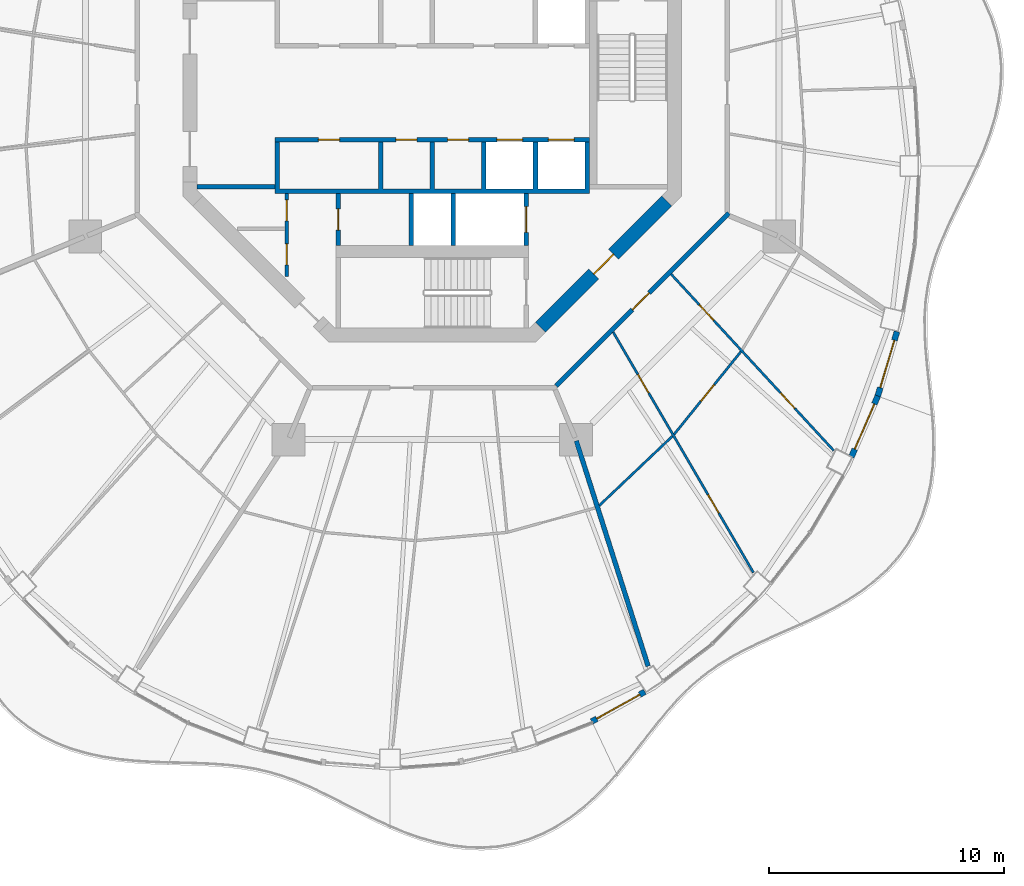
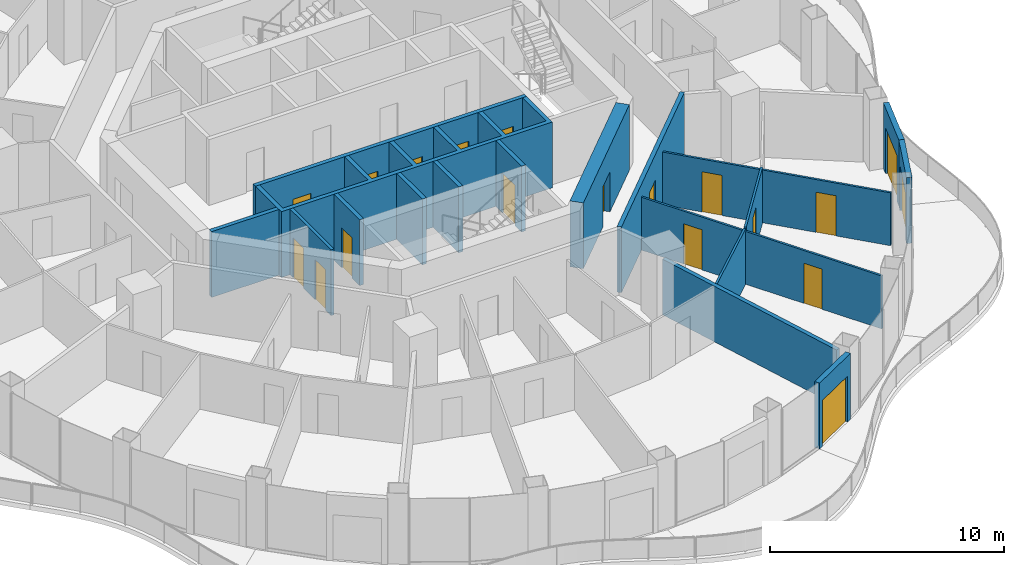
# One storey, part 11 of 17: 19 doors, 18 walls, 19 openings.
"""IFC4 building model written with IfcOpenShell, lengths in metres."""

from ifc_helpers import new_model, si_unit, direction, frame, frame_2d, origin, place, context, subcontext, project, spatial, polyline, rectangle, outline, extrude, material, layer, layer_set, type_object, element, fill, save


model = new_model("IFC4")

# Units and contexts
model_context = context("Model", 3, precision=1e-05, world=origin(), true_north=direction((0.0, 1.0)))
body_context = subcontext(model_context, "Body", "Model", "MODEL_VIEW")
ifc_project = project(units=[si_unit("LENGTHUNIT", "METRE"), si_unit("AREAUNIT", "SQUARE_METRE"), si_unit("VOLUMEUNIT", "CUBIC_METRE"), si_unit("PLANEANGLEUNIT", "RADIAN"), si_unit("MASSUNIT", "GRAM", prefix="KILO")], contexts=[model_context])

# Site, building, storey
site_placement = place(None, origin())
site = spatial("IfcSite", under=ifc_project, at=site_placement, CompositionType="ELEMENT")
building_placement = place(site_placement, origin())
building = spatial("IfcBuilding", under=site, at=building_placement, Name="Nagisa Residences", CompositionType="ELEMENT")
storey_placement = place(building_placement, frame((0.0, 0.0, 280.699951171875)))
storey = spatial("IfcBuildingStorey", under=building, at=storey_placement, Name="L71", CompositionType="ELEMENT", Elevation=280.699951171875)

# Wall
ifc_material_1 = material(Name="Gypsum board on steel studs", Category="steel")
ifc_layer_1 = layer(ifc_material_1, 0.199951171875)
ifc_layer_set_1 = layer_set([ifc_layer_1], Name="Apartment compartment wall EI60 200")
wall_type_1 = type_object("IfcWallType", Name="Apartment compartment wall EI60 200", PredefinedType="PARTITIONING", material=ifc_layer_set_1)
wall_1_placement = place(storey_placement, frame((6.13818359375, -14.82958984375, 0.0), z_axis=(0.0, 0.0, 1.0), x_axis=(0.303653679037, -0.952782474234, 0.0)))
element("IfcWall", 1, at=wall_1_placement, inside=storey, type_object=wall_type_1, Name="wall:L71:u11", PredefinedType="PARTITIONING", context=body_context, shape_type="SweptSolid", body=[
    extrude(rectangle(XDim=10.075927734375, YDim=0.199951171875, at=frame_2d((5.0380859375, 0.0))), origin(), (0.0, 0.0, 1.0), 2.905029296875),
])

# Wall, opening, door
ifc_material_2 = material(Name="Gypsum board on steel studs", Category="steel")
ifc_layer_2 = layer(ifc_material_2, 0.199951171875)
ifc_layer_set_2 = layer_set([ifc_layer_2], Name="Apartment entry wall EI60 200")
wall_type_2 = type_object("IfcWallType", Name="Apartment entry wall EI60 200", PredefinedType="PARTITIONING", material=ifc_layer_set_2)
wall_2_placement = place(storey_placement, frame((5.275146484375, -12.494140625, 0.0), z_axis=(0.0, 0.0, 1.0), x_axis=(0.707106781187, 0.707106781187, 0.0)))
wall_2 = element("IfcWall", 2, at=wall_2_placement, inside=storey, type_object=wall_type_2, Name="wall:L71:u21", PredefinedType="PARTITIONING", context=body_context, shape_type="SweptSolid", body=[
    extrude(rectangle(XDim=10.4091796875, YDim=0.199951171875, at=frame_2d((5.20458984375, 0.0))), origin(), (0.0, 0.0, 1.0), 3.43994140625),
])
opening_1_placement = place(wall_2_placement, frame((4.6044921875, 0.0, 0.0)))
opening_1 = element("IfcOpeningElement", 3, at=opening_1_placement, cuts=wall_2, Name="Opening L71-U14", PredefinedType="OPENING", context=body_context, shape_type="SweptSolid", body=[
    extrude(rectangle(XDim=1.0, YDim=2.10009765625, at=frame_2d((0.5, 1.050048828125))), frame((0.0, 0.10986328125, 0.0), z_axis=(0.0, -1.0, 0.0), x_axis=(1.0, 0.0, 0.0)), (0.0, 0.0, 1.0), 0.219970703125),
])
ifc_material_3 = material(Name="Timber fire door set", Category="wood")
door_type_1 = type_object("IfcDoorType", Name="Apartment entry door FD30S 1000x2100", OperationType="NOTDEFINED", PredefinedType="DOOR", material=ifc_material_3)
door_1_placement = place(opening_1_placement, frame((1.0, 0.0, 0.0), x_axis=(-1.0, 0.0, 0.0)))
door_1 = element("IfcDoor", 4, at=door_1_placement, inside=storey, type_object=door_type_1, Name="Entry door, Apartment 71C", OperationType="SINGLE_SWING_LEFT", OverallHeight=2.10009765625, OverallWidth=1.0, PredefinedType="DOOR", context=body_context, shape_type="SweptSolid", body=[
    extrude(rectangle(XDim=1.0, YDim=2.10009765625, at=frame_2d((0.5, 1.050048828125))), frame((0.0, 0.02490234375, 0.0), z_axis=(0.0, -1.0, 0.0), x_axis=(1.0, 0.0, 0.0)), (0.0, 0.0, 1.0), 0.050048828125),
])
fill(opening_1, door_1)

# Wall
ifc_material_4 = material(Name="Gypsum board on steel studs", Category="steel")
ifc_layer_3 = layer(ifc_material_4, 0.10009765625)
ifc_layer_set_3 = layer_set([ifc_layer_3], Name="Apartment partition 100")
wall_type_3 = type_object("IfcWallType", Name="Apartment partition 100", PredefinedType="PARTITIONING", material=ifc_layer_set_3)
wall_3_placement = place(storey_placement, frame((7.113037109375, -17.592041015625, 0.0), z_axis=(0.0, 0.0, 1.0), x_axis=(0.725433932329, 0.688291805723, 0.0)))
element("IfcWall", 5, at=wall_3_placement, inside=storey, type_object=wall_type_3, Name="wall:L71:u64", PredefinedType="PARTITIONING", context=body_context, shape_type="SweptSolid", body=[
    extrude(rectangle(XDim=4.305419921875, YDim=0.10009765625, at=frame_2d((2.15283203125, 0.0))), origin(), (0.0, 0.0, 1.0), 2.905029296875),
])

# Wall, openings, doors
wall_4_placement = place(storey_placement, frame((7.708251953125, -10.19775390625, 0.0), z_axis=(0.0, 0.0, 1.0), x_axis=(0.503839015963, -0.863797572347, 0.0)))
wall_4 = element("IfcWall", 6, at=wall_4_placement, inside=storey, type_object=wall_type_3, Name="wall:L71:u65", PredefinedType="PARTITIONING", context=body_context, shape_type="SweptSolid", body=[
    extrude(rectangle(XDim=11.855712890625, YDim=0.10009765625, at=frame_2d((5.927734375, 0.0))), origin(), (0.0, 0.0, 1.0), 2.761962890625),
])
opening_2_placement = place(wall_4_placement, frame((2.094970703125, 0.0, 0.0)))
opening_2 = element("IfcOpeningElement", 7, at=opening_2_placement, cuts=wall_4, Name="Opening L71-U15", PredefinedType="OPENING", context=body_context, shape_type="SweptSolid", body=[
    extrude(rectangle(XDim=0.89990234375, YDim=2.10009765625, at=frame_2d((0.449951171875, 1.050048828125))), frame((0.0, 0.06005859375, 0.0), z_axis=(0.0, -1.0, 0.0), x_axis=(1.0, 0.0, 0.0)), (0.0, 0.0, 1.0), 0.1201171875),
])
opening_3_placement = place(wall_4_placement, frame((8.022705078125, 0.0, 0.0)))
opening_3 = element("IfcOpeningElement", 8, at=opening_3_placement, cuts=wall_4, Name="Opening L71-U19", PredefinedType="OPENING", context=body_context, shape_type="SweptSolid", body=[
    extrude(rectangle(XDim=0.89990234375, YDim=2.10009765625, at=frame_2d((0.449951171875, 1.050048828125))), frame((0.0, 0.06005859375, 0.0), z_axis=(0.0, -1.0, 0.0), x_axis=(1.0, 0.0, 0.0)), (0.0, 0.0, 1.0), 0.1201171875),
])
ifc_material_5 = material(Name="Timber door set", Category="wood")
door_type_2 = type_object("IfcDoorType", Name="Apartment door 900x2100", OperationType="NOTDEFINED", PredefinedType="DOOR", material=ifc_material_5)
door_2_placement = place(opening_2_placement, frame((0.89990234375, 0.0, 0.0), x_axis=(-1.0, 0.0, 0.0)))
door_2 = element("IfcDoor", 9, at=door_2_placement, inside=storey, type_object=door_type_2, Name="Door to family bathroom, Apartment 71C", OperationType="SINGLE_SWING_RIGHT", OverallHeight=2.10009765625, OverallWidth=0.89990234375, PredefinedType="DOOR", context=body_context, shape_type="SweptSolid", body=[
    extrude(rectangle(XDim=0.89990234375, YDim=2.10009765625, at=frame_2d((0.449951171875, 1.050048828125))), frame((0.0, 0.02490234375, 0.0), z_axis=(0.0, -1.0, 0.0), x_axis=(1.0, 0.0, 0.0)), (0.0, 0.0, 1.0), 0.050048828125),
])
fill(opening_2, door_2)
door_3_placement = place(opening_3_placement, frame((0.89990234375, 0.0, 0.0), x_axis=(-1.0, 0.0, 0.0)))
door_3 = element("IfcDoor", 10, at=door_3_placement, inside=storey, type_object=door_type_2, Name="Door to living room, Apartment 71C", OperationType="SINGLE_SWING_RIGHT", OverallHeight=2.10009765625, OverallWidth=0.89990234375, PredefinedType="DOOR", context=body_context, shape_type="SweptSolid", body=[
    extrude(rectangle(XDim=0.89990234375, YDim=2.10009765625, at=frame_2d((0.449951171875, 1.050048828125))), frame((0.0, 0.02490234375, 0.0), z_axis=(0.0, -1.0, 0.0), x_axis=(1.0, 0.0, 0.0)), (0.0, 0.0, 1.0), 0.050048828125),
])
fill(opening_3, door_3)

# Wall, opening, door
wall_5_placement = place(storey_placement, frame((10.303955078125, -14.555419921875, 0.0), z_axis=(0.0, 0.0, 1.0), x_axis=(0.628170338674, 0.778075848237, 0.0)))
wall_5 = element("IfcWall", 11, at=wall_5_placement, inside=storey, type_object=wall_type_3, Name="wall:L71:u66", PredefinedType="PARTITIONING", context=body_context, shape_type="SweptSolid", body=[
    extrude(rectangle(XDim=4.532470703125, YDim=0.10009765625, at=frame_2d((2.26611328125, 0.0))), origin(), (0.0, 0.0, 1.0), 2.905029296875),
])
opening_4_placement = place(wall_5_placement, frame((1.816162109375, 0.0, 0.0)))
opening_4 = element("IfcOpeningElement", 12, at=opening_4_placement, cuts=wall_5, Name="Opening L71-U17", PredefinedType="OPENING", context=body_context, shape_type="SweptSolid", body=[
    extrude(rectangle(XDim=0.89990234375, YDim=2.10009765625, at=frame_2d((0.449951171875, 1.050048828125))), frame((0.0, 0.06005859375, 0.0), z_axis=(0.0, -1.0, 0.0), x_axis=(1.0, 0.0, 0.0)), (0.0, 0.0, 1.0), 0.1201171875),
])
door_4_placement = place(opening_4_placement, frame((0.89990234375, 0.0, 0.0), x_axis=(-1.0, 0.0, 0.0)))
door_4 = element("IfcDoor", 13, at=door_4_placement, inside=storey, type_object=door_type_2, Name="Door to kitchen, Apartment 71C", OperationType="SINGLE_SWING_RIGHT", OverallHeight=2.10009765625, OverallWidth=0.89990234375, PredefinedType="DOOR", context=body_context, shape_type="SweptSolid", body=[
    extrude(rectangle(XDim=0.89990234375, YDim=2.10009765625, at=frame_2d((0.449951171875, 1.050048828125))), frame((0.0, 0.02490234375, 0.0), z_axis=(0.0, -1.0, 0.0), x_axis=(1.0, 0.0, 0.0)), (0.0, 0.0, 1.0), 0.050048828125),
])
fill(opening_4, door_4)

# Wall, openings, doors
wall_6_placement = place(storey_placement, frame((10.17919921875, -7.7314453125, 0.0), z_axis=(0.0, 0.0, 1.0), x_axis=(0.67775318564, -0.73528947997, 0.0)))
wall_6 = element("IfcWall", 14, at=wall_6_placement, inside=storey, type_object=wall_type_3, Name="wall:L71:u67", PredefinedType="PARTITIONING", context=body_context, shape_type="SweptSolid", body=[
    extrude(rectangle(XDim=10.221923828125, YDim=0.10009765625, at=frame_2d((5.11083984375, 0.0))), origin(), (0.0, 0.0, 1.0), 2.761962890625),
])
opening_5_placement = place(wall_6_placement, frame((1.765625, 0.0, 0.0)))
opening_5 = element("IfcOpeningElement", 15, at=opening_5_placement, cuts=wall_6, Name="Opening L71-U16", PredefinedType="OPENING", context=body_context, shape_type="SweptSolid", body=[
    extrude(rectangle(XDim=0.89990234375, YDim=2.10009765625, at=frame_2d((0.449951171875, 1.050048828125))), frame((0.0, 0.06005859375, 0.0), z_axis=(0.0, -1.0, 0.0), x_axis=(1.0, 0.0, 0.0)), (0.0, 0.0, 1.0), 0.1201171875),
])
opening_6_placement = place(wall_6_placement, frame((6.876708984375, 0.0, 0.0)))
opening_6 = element("IfcOpeningElement", 16, at=opening_6_placement, cuts=wall_6, Name="Opening L71-U18", PredefinedType="OPENING", context=body_context, shape_type="SweptSolid", body=[
    extrude(rectangle(XDim=0.89990234375, YDim=2.10009765625, at=frame_2d((0.449951171875, 1.050048828125))), frame((0.0, 0.06005859375, 0.0), z_axis=(0.0, -1.0, 0.0), x_axis=(1.0, 0.0, 0.0)), (0.0, 0.0, 1.0), 0.1201171875),
])
door_5_placement = place(opening_5_placement, origin())
door_5 = element("IfcDoor", 17, at=door_5_placement, inside=storey, type_object=door_type_2, Name="Door to laundry, Apartment 71C", OperationType="SINGLE_SWING_RIGHT", OverallHeight=2.10009765625, OverallWidth=0.89990234375, PredefinedType="DOOR", context=body_context, shape_type="SweptSolid", body=[
    extrude(rectangle(XDim=0.89990234375, YDim=2.10009765625, at=frame_2d((0.449951171875, 1.050048828125))), frame((0.0, 0.02490234375, 0.0), z_axis=(0.0, -1.0, 0.0), x_axis=(1.0, 0.0, 0.0)), (0.0, 0.0, 1.0), 0.050048828125),
])
fill(opening_5, door_5)
door_6_placement = place(opening_6_placement, origin())
door_6 = element("IfcDoor", 18, at=door_6_placement, inside=storey, type_object=door_type_2, Name="Door to master bedroom, Apartment 71C", OperationType="SINGLE_SWING_RIGHT", OverallHeight=2.10009765625, OverallWidth=0.89990234375, PredefinedType="DOOR", context=body_context, shape_type="SweptSolid", body=[
    extrude(rectangle(XDim=0.89990234375, YDim=2.10009765625, at=frame_2d((0.449951171875, 1.050048828125))), frame((0.0, 0.02490234375, 0.0), z_axis=(0.0, -1.0, 0.0), x_axis=(1.0, 0.0, 0.0)), (0.0, 0.0, 1.0), 0.050048828125),
])
fill(opening_6, door_6)

# Wall, opening, door
ifc_material_6 = material(Name="Precast concrete C40/50", Category="concrete")
ifc_layer_4 = layer(ifc_material_6, 0.25)
ifc_layer_set_4 = layer_set([ifc_layer_4], Name="BALCONY DOOR WALL 250")
wall_type_4 = type_object("IfcWallType", Name="BALCONY DOOR WALL 250", PredefinedType="SOLIDWALL", material=ifc_layer_set_4)
wall_7_placement = place(storey_placement, frame((9.056396484375, -25.5205078125, 0.0), z_axis=(0.0, 0.0, 1.0), x_axis=(-0.872093060299, -0.489340059855, 0.0)))
wall_7 = element("IfcWall", 19, at=wall_7_placement, inside=storey, type_object=wall_type_4, Name="wall:L71:bay39", PredefinedType="SOLIDWALL", context=body_context, shape_type="SweptSolid", body=[
    extrude(rectangle(XDim=2.5927734375, YDim=0.25, at=frame_2d((1.29638671875, 0.0))), origin(), (0.0, 0.0, 1.0), 3.43994140625),
])
opening_7_placement = place(wall_7_placement, frame((0.24658203125, 0.0, 0.0)))
opening_7 = element("IfcOpeningElement", 20, at=opening_7_placement, cuts=wall_7, Name="Opening BD-L71-14", PredefinedType="OPENING", context=body_context, shape_type="SweptSolid", body=[
    extrude(rectangle(XDim=2.10009765625, YDim=2.39990234375, at=frame_2d((1.050048828125, 1.199951171875))), frame((0.0, 0.135009765625, 0.0), z_axis=(0.0, -1.0, 0.0), x_axis=(1.0, 0.0, 0.0)), (0.0, 0.0, 1.0), 0.27001953125),
])
ifc_material_7 = material(Name="Aluminium and clear glass", Category="aluminium")
door_type_3 = type_object("IfcDoorType", Name="BALCONY SLIDING DOOR 2100x2400", OperationType="SLIDING_TO_LEFT", PredefinedType="DOOR", material=ifc_material_7)
door_7_placement = place(opening_7_placement, origin())
door_7 = element("IfcDoor", 21, at=door_7_placement, inside=storey, type_object=door_type_3, Name="door:L71:bay39", OperationType="SLIDING_TO_LEFT", OverallHeight=2.39990234375, OverallWidth=2.10009765625, PredefinedType="DOOR", context=body_context, shape_type="SweptSolid", body=[
    extrude(rectangle(XDim=2.10009765625, YDim=2.39990234375, at=frame_2d((1.050048828125, 1.199951171875))), frame((0.0, 0.02490234375, 0.0), z_axis=(0.0, -1.0, 0.0), x_axis=(1.0, 0.0, 0.0)), (0.0, 0.0, 1.0), 0.050048828125),
])
fill(opening_7, door_7)

wall_8_placement = place(storey_placement, frame((18.9833984375, -12.918212890625, 0.0), z_axis=(0.0, 0.0, 1.0), x_axis=(-0.397597791596, -0.9175598052, 0.0)))
wall_8 = element("IfcWall", 22, at=wall_8_placement, inside=storey, type_object=wall_type_4, Name="wall:L71:bay44", PredefinedType="SOLIDWALL", context=body_context, shape_type="SweptSolid", body=[
    extrude(rectangle(XDim=2.841064453125, YDim=0.25, at=frame_2d((1.42041015625, 0.0))), origin(), (0.0, 0.0, 1.0), 3.43994140625),
])
opening_8_placement = place(wall_8_placement, frame((0.37060546875, 0.0, 0.0)))
opening_8 = element("IfcOpeningElement", 23, at=opening_8_placement, cuts=wall_8, Name="Opening BD-L71-15", PredefinedType="OPENING", context=body_context, shape_type="SweptSolid", body=[
    extrude(rectangle(XDim=2.10009765625, YDim=2.39990234375, at=frame_2d((1.050048828125, 1.199951171875))), frame((0.0, 0.135009765625, 0.0), z_axis=(0.0, -1.0, 0.0), x_axis=(1.0, 0.0, 0.0)), (0.0, 0.0, 1.0), 0.27001953125),
])
door_8_placement = place(opening_8_placement, origin())
door_8 = element("IfcDoor", 24, at=door_8_placement, inside=storey, type_object=door_type_3, Name="door:L71:bay44", OperationType="SLIDING_TO_LEFT", OverallHeight=2.39990234375, OverallWidth=2.10009765625, PredefinedType="DOOR", context=body_context, shape_type="SweptSolid", body=[
    extrude(rectangle(XDim=2.10009765625, YDim=2.39990234375, at=frame_2d((1.050048828125, 1.199951171875))), frame((0.0, 0.02490234375, 0.0), z_axis=(0.0, -1.0, 0.0), x_axis=(1.0, 0.0, 0.0)), (0.0, 0.0, 1.0), 0.050048828125),
])
fill(opening_8, door_8)

wall_9_placement = place(storey_placement, frame((19.80078125, -10.17529296875, 0.0), z_axis=(0.0, 0.0, 1.0), x_axis=(-0.285899456462, -0.958259620768, 0.0)))
wall_9 = element("IfcWall", 25, at=wall_9_placement, inside=storey, type_object=wall_type_4, Name="wall:L71:bay45", PredefinedType="SOLIDWALL", context=body_context, shape_type="SweptSolid", body=[
    extrude(rectangle(XDim=2.876953125, YDim=0.25, at=frame_2d((1.4384765625, 0.0))), origin(), (0.0, 0.0, 1.0), 3.43994140625),
])
opening_9_placement = place(wall_9_placement, frame((0.388671875, 0.0, 0.0)))
opening_9 = element("IfcOpeningElement", 26, at=opening_9_placement, cuts=wall_9, Name="Opening BD-L71-16", PredefinedType="OPENING", context=body_context, shape_type="SweptSolid", body=[
    extrude(rectangle(XDim=2.10009765625, YDim=2.39990234375, at=frame_2d((1.050048828125, 1.199951171875))), frame((0.0, 0.135009765625, 0.0), z_axis=(0.0, -1.0, 0.0), x_axis=(1.0, 0.0, 0.0)), (0.0, 0.0, 1.0), 0.27001953125),
])
door_9_placement = place(opening_9_placement, origin())
door_9 = element("IfcDoor", 27, at=door_9_placement, inside=storey, type_object=door_type_3, Name="door:L71:bay45", OperationType="SLIDING_TO_LEFT", OverallHeight=2.39990234375, OverallWidth=2.10009765625, PredefinedType="DOOR", context=body_context, shape_type="SweptSolid", body=[
    extrude(rectangle(XDim=2.10009765625, YDim=2.39990234375, at=frame_2d((1.050048828125, 1.199951171875))), frame((0.0, 0.02490234375, 0.0), z_axis=(0.0, -1.0, 0.0), x_axis=(1.0, 0.0, 0.0)), (0.0, 0.0, 1.0), 0.050048828125),
])
fill(opening_9, door_9)

# Wall, openings, doors
ifc_material_8 = material(Name="Gypsum board on steel studs", Category="steel")
ifc_layer_5 = layer(ifc_material_8, 0.14990234375)
ifc_layer_set_5 = layer_set([ifc_layer_5], Name="Core partition 150")
wall_type_5 = type_object("IfcWallType", Name="Core partition 150", PredefinedType="PARTITIONING", material=ifc_layer_set_5)
wall_10_placement = place(storey_placement, frame((-6.199951171875, -7.826904296875, 0.0), z_axis=(0.0, 0.0, 1.0), x_axis=(0.0, 1.0, 0.0)))
wall_10 = element("IfcWall", 28, at=wall_10_placement, inside=storey, type_object=wall_type_5, Name="wall:L71:SWp", PredefinedType="PARTITIONING", context=body_context, shape_type="SweptSolid", body=[
    extrude(rectangle(XDim=3.52685546875, YDim=0.14990234375, at=frame_2d((1.763427734375, 0.0))), origin(), (0.0, 0.0, 1.0), 3.43994140625),
])
opening_10_placement = place(wall_10_placement, frame((2.364501953125, 0.0, 0.0)))
opening_10 = element("IfcOpeningElement", 29, at=opening_10_placement, cuts=wall_10, Name="Opening L71-C12", PredefinedType="OPENING", context=body_context, shape_type="SweptSolid", body=[
    extrude(rectangle(XDim=0.89990234375, YDim=2.10009765625, at=frame_2d((0.449951171875, 1.050048828125))), frame((0.0, 0.0849609375, 0.0), z_axis=(0.0, -1.0, 0.0), x_axis=(1.0, 0.0, 0.0)), (0.0, 0.0, 1.0), 0.169921875),
])
opening_11_placement = place(wall_10_placement, frame((0.488525390625, 0.0, 0.0)))
opening_11 = element("IfcOpeningElement", 30, at=opening_11_placement, cuts=wall_10, Name="Opening L71-C13", PredefinedType="OPENING", context=body_context, shape_type="SweptSolid", body=[
    extrude(rectangle(XDim=0.89990234375, YDim=2.10009765625, at=frame_2d((0.449951171875, 1.050048828125))), frame((0.0, 0.0849609375, 0.0), z_axis=(0.0, -1.0, 0.0), x_axis=(1.0, 0.0, 0.0)), (0.0, 0.0, 1.0), 0.169921875),
])
ifc_material_9 = material(Name="Steel fire door", Category="steel")
door_type_4 = type_object("IfcDoorType", Name="Fire door EI30 900x2100 single swing", OperationType="NOTDEFINED", PredefinedType="DOOR", material=ifc_material_9)
door_10_placement = place(opening_10_placement, origin())
door_10 = element("IfcDoor", 31, at=door_10_placement, inside=storey, type_object=door_type_4, Name="Janitor door L71", OperationType="SINGLE_SWING_LEFT", OverallHeight=2.10009765625, OverallWidth=0.89990234375, PredefinedType="DOOR", context=body_context, shape_type="SweptSolid", body=[
    extrude(rectangle(XDim=0.89990234375, YDim=2.10009765625, at=frame_2d((0.449951171875, 1.050048828125))), frame((0.0, 0.02490234375, 0.0), z_axis=(0.0, -1.0, 0.0), x_axis=(1.0, 0.0, 0.0)), (0.0, 0.0, 1.0), 0.050048828125),
])
fill(opening_10, door_10)
door_11_placement = place(opening_11_placement, origin())
door_11 = element("IfcDoor", 32, at=door_11_placement, inside=storey, type_object=door_type_4, Name="Electrical room door L71", OperationType="SINGLE_SWING_LEFT", OverallHeight=2.10009765625, OverallWidth=0.89990234375, PredefinedType="DOOR", context=body_context, shape_type="SweptSolid", body=[
    extrude(rectangle(XDim=0.89990234375, YDim=2.10009765625, at=frame_2d((0.449951171875, 1.050048828125))), frame((0.0, 0.02490234375, 0.0), z_axis=(0.0, -1.0, 0.0), x_axis=(1.0, 0.0, 0.0)), (0.0, 0.0, 1.0), 0.050048828125),
])
fill(opening_11, door_11)

# Wall
ifc_material_10 = material(Name="Gypsum board on steel studs", Category="steel")
ifc_layer_6 = layer(ifc_material_10, 0.199951171875)
ifc_layer_set_6 = layer_set([ifc_layer_6], Name="Core partition 200")
wall_type_6 = type_object("IfcWallType", Name="Core partition 200", PredefinedType="PARTITIONING", material=ifc_layer_set_6)
wall_11_placement = place(storey_placement, frame((-10.024658203125, -4.0, 0.0), z_axis=(0.0, 0.0, 1.0), x_axis=(1.0, 0.0, 0.0)))
element("IfcWall", 33, at=wall_11_placement, inside=storey, type_object=wall_type_6, Name="wall:L71:PSW", PredefinedType="PARTITIONING", context=body_context, shape_type="SweptSolid", body=[
    extrude(rectangle(XDim=3.32470703125, YDim=0.199951171875, at=frame_2d((1.662353515625, 0.0))), origin(), (0.0, 0.0, 1.0), 3.43994140625),
])

# Wall, opening, door
ifc_material_11 = material(Name="Concrete C60", Category="concrete")
ifc_layer_7 = layer(ifc_material_11, 0.60009765625)
ifc_layer_set_7 = layer_set([ifc_layer_7], Name="Core shear wall 600")
wall_type_7 = type_object("IfcWallType", Name="Core shear wall 600", PredefinedType="SHEAR", material=ifc_layer_set_7)
wall_12_placement = place(storey_placement, frame((4.613037109375, -9.98828125, 0.0), z_axis=(0.0, 0.0, 1.0), x_axis=(0.707106781187, 0.707106781187, 0.0)))
wall_12 = element("IfcWall", 34, at=wall_12_placement, inside=storey, type_object=wall_type_7, Name="wall:L71:core:flat7", PredefinedType="SHEAR", context=body_context, shape_type="SweptSolid", body=[
    extrude(rectangle(XDim=7.601806640625, YDim=0.60009765625, at=frame_2d((3.80078125, 0.0))), origin(), (0.0, 0.0, 1.0), 3.43994140625),
])
opening_12_placement = place(wall_12_placement, frame((3.200927734375, 0.0, 0.0)))
opening_12 = element("IfcOpeningElement", 35, at=opening_12_placement, cuts=wall_12, Name="Opening L71-C22", PredefinedType="OPENING", context=body_context, shape_type="SweptSolid", body=[
    extrude(rectangle(XDim=1.199951171875, YDim=2.10009765625, at=frame_2d((0.60009765625, 1.050048828125))), frame((0.0, 0.31005859375, 0.0), z_axis=(0.0, -1.0, 0.0), x_axis=(1.0, 0.0, 0.0)), (0.0, 0.0, 1.0), 0.6201171875),
])
ifc_material_12 = material(Name="Steel fire door", Category="steel")
door_type_5 = type_object("IfcDoorType", Name="Fire door EI60 1200x2100 single swing", OperationType="NOTDEFINED", PredefinedType="DOOR", material=ifc_material_12)
door_12_placement = place(opening_12_placement, origin())
door_12 = element("IfcDoor", 36, at=door_12_placement, inside=storey, type_object=door_type_5, Name="Firefighting lobby 2 door L71", OperationType="SINGLE_SWING_RIGHT", OverallHeight=2.10009765625, OverallWidth=1.199951171875, PredefinedType="DOOR", context=body_context, shape_type="SweptSolid", body=[
    extrude(rectangle(XDim=1.199951171875, YDim=2.10009765625, at=frame_2d((0.60009765625, 1.050048828125))), frame((0.0, 0.02490234375, 0.0), z_axis=(0.0, -1.0, 0.0), x_axis=(1.0, 0.0, 0.0)), (0.0, 0.0, 1.0), 0.050048828125),
])
fill(opening_12, door_12)

ifc_material_13 = material(Name="Concrete C60", Category="concrete")
ifc_layer_8 = layer(ifc_material_13, 0.199951171875)
ifc_layer_set_8 = layer_set([ifc_layer_8], Name="Lift shaft wall 200")
wall_type_8 = type_object("IfcWallType", Name="Lift shaft wall 200", PredefinedType="SOLIDWALL", material=ifc_layer_set_8)
wall_13_placement = place(storey_placement, frame((4.0, -6.5, 0.0), z_axis=(0.0, 0.0, 1.0), x_axis=(0.0, 1.0, 0.0)))
wall_13 = element("IfcWall", 37, at=wall_13_placement, inside=storey, type_object=wall_type_8, Name="wall:L71:Sb3", PredefinedType="SOLIDWALL", context=body_context, shape_type="SweptSolid", body=[
    extrude(rectangle(XDim=2.199951171875, YDim=0.199951171875, at=frame_2d((1.10009765625, 0.0))), origin(), (0.0, 0.0, 1.0), 3.43994140625),
])
opening_13_placement = place(wall_13_placement, frame((0.550048828125, 0.0, 0.0)))
opening_13 = element("IfcOpeningElement", 38, at=opening_13_placement, cuts=wall_13, Name="Opening L71-C05", PredefinedType="OPENING", context=body_context, shape_type="SweptSolid", body=[
    extrude(rectangle(XDim=1.10009765625, YDim=2.10009765625, at=frame_2d((0.550048828125, 1.050048828125))), frame((0.0, 0.10986328125, 0.0), z_axis=(0.0, -1.0, 0.0), x_axis=(1.0, 0.0, 0.0)), (0.0, 0.0, 1.0), 0.219970703125),
])
ifc_material_14 = material(Name="Stainless steel", Category="steel")
door_type_6 = type_object("IfcDoorType", Name="Lift landing door 1100x2100", OperationType="DOUBLE_DOOR_SLIDING", PredefinedType="DOOR", material=ifc_material_14)
door_13_placement = place(opening_13_placement, origin())
door_13 = element("IfcDoor", 39, at=door_13_placement, inside=storey, type_object=door_type_6, Name="Landing door FL2 L71", OperationType="DOUBLE_DOOR_SLIDING", OverallHeight=2.10009765625, OverallWidth=1.10009765625, PredefinedType="DOOR", context=body_context, shape_type="SweptSolid", body=[
    extrude(rectangle(XDim=1.10009765625, YDim=2.10009765625, at=frame_2d((0.550048828125, 1.050048828125))), frame((0.0, 0.02490234375, 0.0), z_axis=(0.0, -1.0, 0.0), x_axis=(1.0, 0.0, 0.0)), (0.0, 0.0, 1.0), 0.050048828125),
])
fill(opening_13, door_13)

wall_14_placement = place(storey_placement, frame((-4.0, -6.5, 0.0), z_axis=(0.0, 0.0, 1.0), x_axis=(0.0, 1.0, 0.0)))
wall_14 = element("IfcWall", 40, at=wall_14_placement, inside=storey, type_object=wall_type_8, Name="wall:L71:Sb4", PredefinedType="SOLIDWALL", context=body_context, shape_type="SweptSolid", body=[
    extrude(rectangle(XDim=2.199951171875, YDim=0.199951171875, at=frame_2d((1.10009765625, 0.0))), origin(), (0.0, 0.0, 1.0), 3.43994140625),
])
opening_14_placement = place(wall_14_placement, frame((0.64990234375, 0.0, 0.0)))
opening_14 = element("IfcOpeningElement", 41, at=opening_14_placement, cuts=wall_14, Name="Opening L71-C14", PredefinedType="OPENING", context=body_context, shape_type="SweptSolid", body=[
    extrude(rectangle(XDim=0.89990234375, YDim=2.10009765625, at=frame_2d((0.449951171875, 1.050048828125))), frame((0.0, 0.10986328125, 0.0), z_axis=(0.0, -1.0, 0.0), x_axis=(1.0, 0.0, 0.0)), (0.0, 0.0, 1.0), 0.219970703125),
])
door_14_placement = place(opening_14_placement, frame((0.89990234375, 0.0, 0.0), x_axis=(-1.0, 0.0, 0.0)))
door_14 = element("IfcDoor", 42, at=door_14_placement, inside=storey, type_object=door_type_4, Name="Refuse room door L71", OperationType="SINGLE_SWING_LEFT", OverallHeight=2.10009765625, OverallWidth=0.89990234375, PredefinedType="DOOR", context=body_context, shape_type="SweptSolid", body=[
    extrude(rectangle(XDim=0.89990234375, YDim=2.10009765625, at=frame_2d((0.449951171875, 1.050048828125))), frame((0.0, 0.02490234375, 0.0), z_axis=(0.0, -1.0, 0.0), x_axis=(1.0, 0.0, 0.0)), (0.0, 0.0, 1.0), 0.050048828125),
])
fill(opening_14, door_14)

# Wall, openings, doors
wall_15_placement = place(storey_placement, frame((-6.699951171875, -2.0, 0.0), z_axis=(0.0, 0.0, 1.0), x_axis=(1.0, 0.0, 0.0)))
wall_15 = element("IfcWall", 43, at=wall_15_placement, inside=storey, type_object=wall_type_8, Name="wall:L71:Sfront", PredefinedType="SOLIDWALL", context=body_context, shape_type="SweptSolid", body=[
    extrude(rectangle(XDim=13.39990234375, YDim=0.199951171875, at=frame_2d((6.699951171875, 0.0))), origin(), (0.0, 0.0, 1.0), 3.43994140625),
])
opening_15_placement = place(wall_15_placement, frame((9.449951171875, 0.0, 0.0)))
opening_15 = element("IfcOpeningElement", 44, at=opening_15_placement, cuts=wall_15, Name="Opening L71-C02", PredefinedType="OPENING", context=body_context, shape_type="SweptSolid", body=[
    extrude(rectangle(XDim=1.10009765625, YDim=2.10009765625, at=frame_2d((0.550048828125, 1.050048828125))), frame((0.0, 0.10986328125, 0.0), z_axis=(0.0, -1.0, 0.0), x_axis=(1.0, 0.0, 0.0)), (0.0, 0.0, 1.0), 0.219970703125),
])
opening_16_placement = place(wall_15_placement, frame((11.64990234375, 0.0, 0.0)))
opening_16 = element("IfcOpeningElement", 45, at=opening_16_placement, cuts=wall_15, Name="Opening L71-C03", PredefinedType="OPENING", context=body_context, shape_type="SweptSolid", body=[
    extrude(rectangle(XDim=1.10009765625, YDim=2.10009765625, at=frame_2d((0.550048828125, 1.050048828125))), frame((0.0, 0.10986328125, 0.0), z_axis=(0.0, -1.0, 0.0), x_axis=(1.0, 0.0, 0.0)), (0.0, 0.0, 1.0), 0.219970703125),
])
opening_17_placement = place(wall_15_placement, frame((1.85009765625, 0.0, 0.0)))
opening_17 = element("IfcOpeningElement", 46, at=opening_17_placement, cuts=wall_15, Name="Opening L71-C18", PredefinedType="OPENING", context=body_context, shape_type="SweptSolid", body=[
    extrude(rectangle(XDim=0.89990234375, YDim=2.10009765625, at=frame_2d((0.449951171875, 1.050048828125))), frame((0.0, 0.10986328125, 0.0), z_axis=(0.0, -1.0, 0.0), x_axis=(1.0, 0.0, 0.0)), (0.0, 0.0, 1.0), 0.219970703125),
])
opening_18_placement = place(wall_15_placement, frame((5.14990234375, 0.0, 0.0)))
opening_18 = element("IfcOpeningElement", 47, at=opening_18_placement, cuts=wall_15, Name="Opening L71-C19", PredefinedType="OPENING", context=body_context, shape_type="SweptSolid", body=[
    extrude(rectangle(XDim=0.89990234375, YDim=2.10009765625, at=frame_2d((0.449951171875, 1.050048828125))), frame((0.0, 0.10986328125, 0.0), z_axis=(0.0, -1.0, 0.0), x_axis=(1.0, 0.0, 0.0)), (0.0, 0.0, 1.0), 0.219970703125),
])
opening_19_placement = place(wall_15_placement, frame((7.35009765625, 0.0, 0.0)))
opening_19 = element("IfcOpeningElement", 48, at=opening_19_placement, cuts=wall_15, Name="Opening L71-C20", PredefinedType="OPENING", context=body_context, shape_type="SweptSolid", body=[
    extrude(rectangle(XDim=0.89990234375, YDim=2.10009765625, at=frame_2d((0.449951171875, 1.050048828125))), frame((0.0, 0.10986328125, 0.0), z_axis=(0.0, -1.0, 0.0), x_axis=(1.0, 0.0, 0.0)), (0.0, 0.0, 1.0), 0.219970703125),
])
door_15_placement = place(opening_17_placement, frame((0.89990234375, 0.0, 0.0), x_axis=(-1.0, 0.0, 0.0)))
door_15 = element("IfcDoor", 49, at=door_15_placement, inside=storey, type_object=door_type_4, Name="Owner storage door L71", OperationType="SINGLE_SWING_LEFT", OverallHeight=2.10009765625, OverallWidth=0.89990234375, PredefinedType="DOOR", context=body_context, shape_type="SweptSolid", body=[
    extrude(rectangle(XDim=0.89990234375, YDim=2.10009765625, at=frame_2d((0.449951171875, 1.050048828125))), frame((0.0, 0.02490234375, 0.0), z_axis=(0.0, -1.0, 0.0), x_axis=(1.0, 0.0, 0.0)), (0.0, 0.0, 1.0), 0.050048828125),
])
fill(opening_17, door_15)
door_16_placement = place(opening_18_placement, frame((0.89990234375, 0.0, 0.0), x_axis=(-1.0, 0.0, 0.0)))
door_16 = element("IfcDoor", 50, at=door_16_placement, inside=storey, type_object=door_type_4, Name="Recycling room door L71", OperationType="SINGLE_SWING_LEFT", OverallHeight=2.10009765625, OverallWidth=0.89990234375, PredefinedType="DOOR", context=body_context, shape_type="SweptSolid", body=[
    extrude(rectangle(XDim=0.89990234375, YDim=2.10009765625, at=frame_2d((0.449951171875, 1.050048828125))), frame((0.0, 0.02490234375, 0.0), z_axis=(0.0, -1.0, 0.0), x_axis=(1.0, 0.0, 0.0)), (0.0, 0.0, 1.0), 0.050048828125),
])
fill(opening_18, door_16)
door_17_placement = place(opening_19_placement, frame((0.89990234375, 0.0, 0.0), x_axis=(-1.0, 0.0, 0.0)))
door_17 = element("IfcDoor", 51, at=door_17_placement, inside=storey, type_object=door_type_4, Name="Stationery store door L71", OperationType="SINGLE_SWING_LEFT", OverallHeight=2.10009765625, OverallWidth=0.89990234375, PredefinedType="DOOR", context=body_context, shape_type="SweptSolid", body=[
    extrude(rectangle(XDim=0.89990234375, YDim=2.10009765625, at=frame_2d((0.449951171875, 1.050048828125))), frame((0.0, 0.02490234375, 0.0), z_axis=(0.0, -1.0, 0.0), x_axis=(1.0, 0.0, 0.0)), (0.0, 0.0, 1.0), 0.050048828125),
])
fill(opening_19, door_17)
door_18_placement = place(opening_15_placement, origin())
door_18 = element("IfcDoor", 52, at=door_18_placement, inside=storey, type_object=door_type_6, Name="Landing door C2 L71", OperationType="DOUBLE_DOOR_SLIDING", OverallHeight=2.10009765625, OverallWidth=1.10009765625, PredefinedType="DOOR", context=body_context, shape_type="SweptSolid", body=[
    extrude(rectangle(XDim=1.10009765625, YDim=2.10009765625, at=frame_2d((0.550048828125, 1.050048828125))), frame((0.0, 0.02490234375, 0.0), z_axis=(0.0, -1.0, 0.0), x_axis=(1.0, 0.0, 0.0)), (0.0, 0.0, 1.0), 0.050048828125),
])
fill(opening_15, door_18)
door_19_placement = place(opening_16_placement, origin())
door_19 = element("IfcDoor", 53, at=door_19_placement, inside=storey, type_object=door_type_6, Name="Landing door C3 L71", OperationType="DOUBLE_DOOR_SLIDING", OverallHeight=2.10009765625, OverallWidth=1.10009765625, PredefinedType="DOOR", context=body_context, shape_type="SweptSolid", body=[
    extrude(rectangle(XDim=1.10009765625, YDim=2.10009765625, at=frame_2d((0.550048828125, 1.050048828125))), frame((0.0, 0.02490234375, 0.0), z_axis=(0.0, -1.0, 0.0), x_axis=(1.0, 0.0, 0.0)), (0.0, 0.0, 1.0), 0.050048828125),
])
fill(opening_16, door_19)

# Walls
for number, where, z_axis, x_axis, name in (
    (54, (-0.89990234375, -6.5, 0.0), (0.0, 0.0, 1.0), (0.0, 1.0, 0.0), "wall:L71:Sb1"),
    (55, (0.89990234375, -6.5, 0.0), (0.0, 0.0, 1.0), (0.0, 1.0, 0.0), "wall:L71:Sb2"),
):
    element("IfcWall", number, at=place(storey_placement, frame(where, z_axis=z_axis, x_axis=x_axis)), inside=storey, type_object=wall_type_8, Name=name, PredefinedType="SOLIDWALL", context=body_context, shape_type="SweptSolid", body=[
        extrude(rectangle(XDim=2.199951171875, YDim=0.199951171875, at=frame_2d((1.10009765625, 0.0))), origin(), (0.0, 0.0, 1.0), 3.43994140625),
    ])
wall_16_placement = place(storey_placement, origin())
element("IfcWall", 56, at=wall_16_placement, inside=storey, type_object=wall_type_8, Name="wall:L71:Sback", PredefinedType="SOLIDWALL", context=body_context, shape_type="SweptSolid", body=[
    extrude(outline(polyline([(-6.699951171875, -2.10009765625), (-6.5, -2.10009765625), (-6.5, -4.10009765625), (-2.300048828125, -4.10009765625), (-2.300048828125, -2.10009765625), (-2.10009765625, -2.10009765625), (-2.10009765625, -4.10009765625), (-0.10009765625, -4.10009765625), (-0.10009765625, -2.10009765625), (0.10009765625, -2.10009765625), (0.10009765625, -4.10009765625), (2.10009765625, -4.10009765625), (2.10009765625, -2.10009765625), (2.300048828125, -2.10009765625), (2.300048828125, -4.10009765625), (4.300048828125, -4.10009765625), (4.300048828125, -2.10009765625), (4.5, -2.10009765625), (4.5, -4.10009765625), (6.5, -4.10009765625), (6.5, -2.10009765625), (6.699951171875, -2.10009765625), (6.699951171875, -4.300048828125), (-6.699951171875, -4.300048828125), (-6.699951171875, -2.10009765625)])), origin(), (0.0, 0.0, 1.0), 3.43994140625),
])

save(model, "model.ifc")
